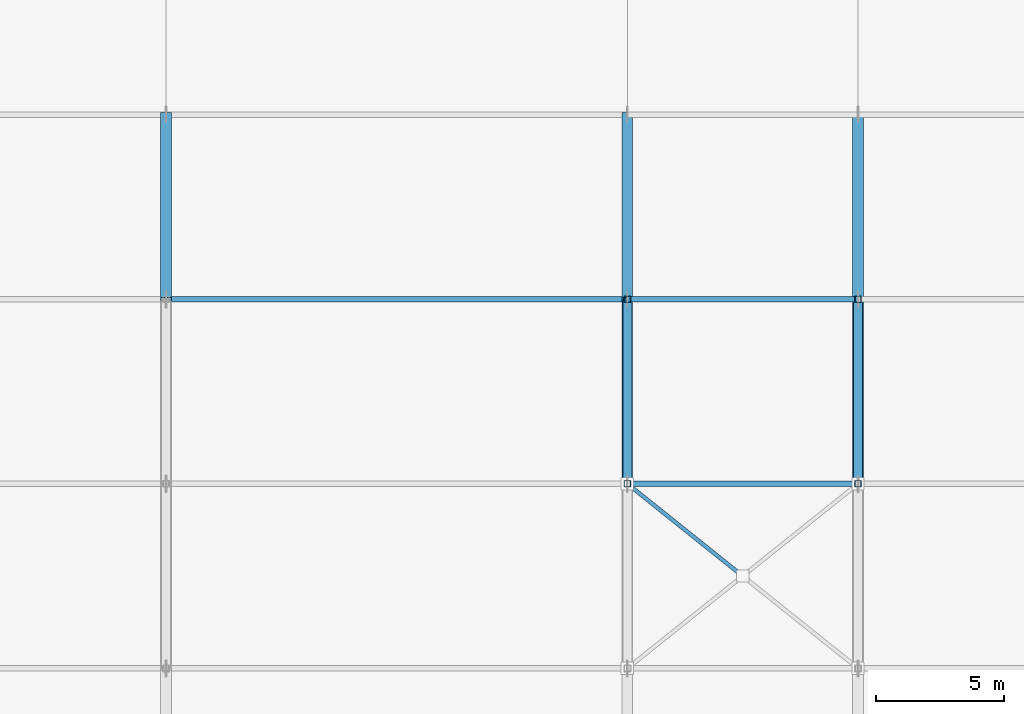
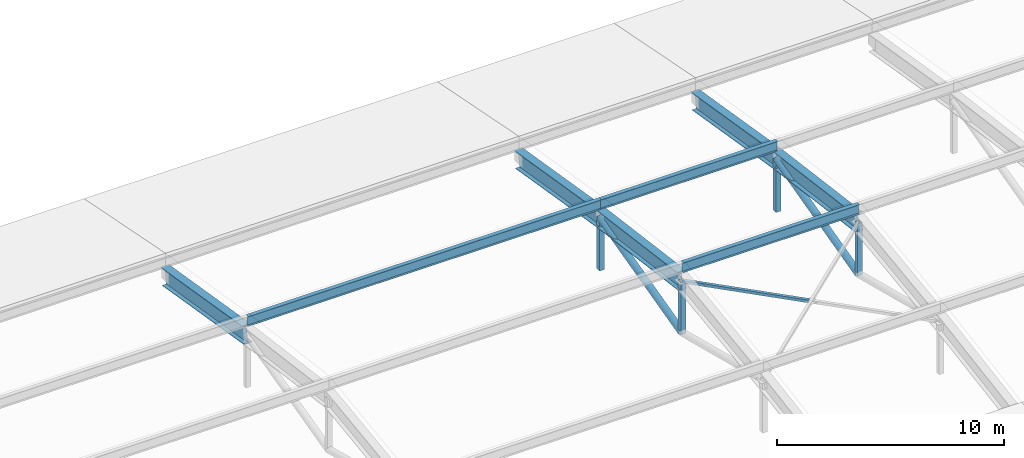
# One storey, part 12 of 78: 15 members.
"""IFC4 building model written with IfcOpenShell, lengths in metres."""

from ifc_helpers import new_model, si_unit, direction, frame, origin, origin_2d, place, context, subcontext, project, spatial, hollow_rectangle, hollow_circle, i_section, extrude, material, material_profile, profile_set, type_object, element, save


model = new_model("IFC4")

# Units and contexts
model_context = context("Model", 3, precision=1e-05, world=origin(), true_north=direction((0.0, 1.0)))
body_context = subcontext(model_context, "Body", "Model", "MODEL_VIEW")
ifc_project = project(units=[si_unit("LENGTHUNIT", "METRE"), si_unit("AREAUNIT", "SQUARE_METRE"), si_unit("VOLUMEUNIT", "CUBIC_METRE"), si_unit("PLANEANGLEUNIT", "RADIAN"), si_unit("MASSUNIT", "GRAM", prefix="KILO")], contexts=[model_context])

# Site, building, storey
site_placement = place(None, origin())
site = spatial("IfcSite", under=ifc_project, at=site_placement, CompositionType="ELEMENT")
building_placement = place(site_placement, origin())
building = spatial("IfcBuilding", under=site, at=building_placement, Name="Celestram Park Convention Centre", CompositionType="ELEMENT")
storey_placement = place(building_placement, frame((0.0, 0.0, 19.800048828125)))
storey = spatial("IfcBuildingStorey", under=building, at=storey_placement, Name="L04", CompositionType="ELEMENT", Elevation=19.800048828125)

# Members
ifc_material_1 = material(Name="Steel ASTM A500 Grade C", Category="steel")
ifc_material_profile_1 = material_profile(ifc_material_1, hollow_circle(Radius=0.177978515625, WallThickness=0.011962890625, at=origin_2d()), Name="CHS356X12")
ifc_profile_set_1 = profile_set([ifc_material_profile_1], Name="Steel ASTM A500 Grade C")
member_type_1 = type_object("IfcMemberType", Name="STR-BRC-CHS356", PredefinedType="BRACE", material=ifc_profile_set_1)
for number, where, z_axis, x_axis, name in (
    (1, (54.0, 64.800048828125, -0.171630859375), (0.0, 0.968804355336, 0.247826796536), (-1.0, 0.0, 0.0), "V1 arch web diagonal"),
    (2, (63.0, 64.800048828125, -0.171630859375), (0.0, 0.968804355336, 0.247826796536), (-1.0, 0.0, 0.0), "V1 arch web diagonal"),
):
    element("IfcMember", number, at=place(storey_placement, frame(where, z_axis=z_axis, x_axis=x_axis)), inside=storey, type_object=member_type_1, Name=name, PredefinedType="BRACE", context=body_context, shape_type="SweptSolid", body=[
        extrude(hollow_circle(Radius=0.177978515625, WallThickness=0.011962890625, at=origin_2d()), origin(), (0.0, 0.0, 1.0), 7.431884765625),
    ])
ifc_material_profile_2 = material_profile(ifc_material_1, hollow_rectangle(XDim=0.14990234375, YDim=0.14990234375, WallThickness=0.008056640625, at=origin_2d()), Name="HSS150X150X8")
ifc_profile_set_2 = profile_set([ifc_material_profile_2], Name="Steel ASTM A500 Grade C")
member_type_2 = type_object("IfcMemberType", Name="STR-BRC-HSS150", PredefinedType="BRACE", material=ifc_profile_set_2)
member_1_placement = place(storey_placement, frame((58.433837890625, 61.2529296875, 2.1279296875), z_axis=(-0.778181504336, 0.622553773278, 0.082827203782), x_axis=(-0.624700291051, -0.780864614617, 0.0)))
element("IfcMember", 3, at=member_1_placement, inside=storey, type_object=member_type_2, Name="Roof lateral split wind X-brace upper half", PredefinedType="BRACE", context=body_context, shape_type="SweptSolid", body=[
    extrude(hollow_rectangle(XDim=0.14990234375, YDim=0.14990234375, WallThickness=0.008056640625, at=origin_2d()), origin(), (0.0, 0.0, 1.0), 5.69775390625),
])
ifc_material_2 = material(Name="Steel ASTM A992 Grade 50", Category="steel")
ifc_material_profile_3 = material_profile(ifc_material_2, i_section(OverallWidth=0.4189453125, OverallDepth=0.927001953125, WebThickness=0.019287109375, FlangeThickness=0.031982421875, at=origin_2d()), Name="W36X231")
ifc_profile_set_3 = profile_set([ifc_material_profile_3], Name="Steel ASTM A992 Grade 50")
member_type_3 = type_object("IfcMemberType", Name="STR-CHD-W36X231", PredefinedType="CHORD", material=ifc_profile_set_3)
member_2_placement = place(storey_placement, frame((36.0, 72.0, 1.670166015625), z_axis=(0.0, 0.986648621514, -0.162863432557), x_axis=(-1.0, 0.0, 0.0)))
element("IfcMember", 4, at=member_2_placement, inside=storey, type_object=member_type_3, Name="V1 arch top chord", PredefinedType="CHORD", context=body_context, shape_type="SweptSolid", body=[
    extrude(i_section(OverallWidth=0.4189453125, OverallDepth=0.927001953125, WebThickness=0.019287109375, FlangeThickness=0.031982421875, at=origin_2d()), origin(), (0.0, 0.0, 1.0), 7.29736328125),
])
member_3_placement = place(storey_placement, frame((54.0, 64.800048828125, 2.62841796875), z_axis=(0.0, 0.991259283276, -0.131928136952), x_axis=(-1.0, 0.0, 0.0)))
element("IfcMember", 5, at=member_3_placement, inside=storey, type_object=member_type_3, Name="V1 arch top chord", PredefinedType="CHORD", context=body_context, shape_type="SweptSolid", body=[
    extrude(i_section(OverallWidth=0.4189453125, OverallDepth=0.927001953125, WebThickness=0.019287109375, FlangeThickness=0.031982421875, at=origin_2d()), origin(), (0.0, 0.0, 1.0), 7.263427734375),
])
member_4_placement = place(storey_placement, frame((54.0, 72.0, 1.670166015625), z_axis=(0.0, 0.986648621514, -0.162863432557), x_axis=(-1.0, 0.0, 0.0)))
element("IfcMember", 6, at=member_4_placement, inside=storey, type_object=member_type_3, Name="V1 arch top chord", PredefinedType="CHORD", context=body_context, shape_type="SweptSolid", body=[
    extrude(i_section(OverallWidth=0.4189453125, OverallDepth=0.927001953125, WebThickness=0.019287109375, FlangeThickness=0.031982421875, at=origin_2d()), origin(), (0.0, 0.0, 1.0), 7.29736328125),
])
member_5_placement = place(storey_placement, frame((63.0, 64.800048828125, 2.62841796875), z_axis=(0.0, 0.991259283276, -0.131928136952), x_axis=(-1.0, 0.0, 0.0)))
element("IfcMember", 7, at=member_5_placement, inside=storey, type_object=member_type_3, Name="V1 arch top chord", PredefinedType="CHORD", context=body_context, shape_type="SweptSolid", body=[
    extrude(i_section(OverallWidth=0.4189453125, OverallDepth=0.927001953125, WebThickness=0.019287109375, FlangeThickness=0.031982421875, at=origin_2d()), origin(), (0.0, 0.0, 1.0), 7.263427734375),
])
member_6_placement = place(storey_placement, frame((63.0, 72.0, 1.670166015625), z_axis=(0.0, 0.986648621514, -0.162863432557), x_axis=(-1.0, 0.0, 0.0)))
element("IfcMember", 8, at=member_6_placement, inside=storey, type_object=member_type_3, Name="V1 arch top chord", PredefinedType="CHORD", context=body_context, shape_type="SweptSolid", body=[
    extrude(i_section(OverallWidth=0.4189453125, OverallDepth=0.927001953125, WebThickness=0.019287109375, FlangeThickness=0.031982421875, at=origin_2d()), origin(), (0.0, 0.0, 1.0), 7.29736328125),
])
ifc_material_profile_4 = material_profile(ifc_material_2, i_section(OverallWidth=0.2099609375, OverallDepth=0.532958984375, WebThickness=0.01025390625, FlangeThickness=0.015625, at=origin_2d()), Name="W21X62")
ifc_profile_set_4 = profile_set([ifc_material_profile_4], Name="Steel ASTM A992 Grade 50")
member_type_4 = type_object("IfcMemberType", Name="STR-RFT-W21X62", PredefinedType="RAFTER", material=ifc_profile_set_4)
member_7_placement = place(storey_placement, frame((36.0, 72.0, 2.400146484375), z_axis=(1.0, 0.0, 0.0), x_axis=(0.0, 1.0, 0.0)))
element("IfcMember", 9, at=member_7_placement, inside=storey, type_object=member_type_4, Name="V1 roof purlin", PredefinedType="RAFTER", context=body_context, shape_type="SweptSolid", body=[
    extrude(i_section(OverallWidth=0.2099609375, OverallDepth=0.532958984375, WebThickness=0.01025390625, FlangeThickness=0.015625, at=origin_2d()), origin(), (0.0, 0.0, 1.0), 18.0),
])
for number, where, z_axis, x_axis, name in (
    (10, (54.0, 64.800048828125, 3.3583984375), (1.0, 0.0, 0.0), (0.0, 1.0, 0.0), "V1 roof purlin"),
    (11, (54.0, 72.0, 2.400146484375), (1.0, 0.0, 0.0), (0.0, 1.0, 0.0), "V1 roof purlin"),
):
    element("IfcMember", number, at=place(storey_placement, frame(where, z_axis=z_axis, x_axis=x_axis)), inside=storey, type_object=member_type_4, Name=name, PredefinedType="RAFTER", context=body_context, shape_type="SweptSolid", body=[
        extrude(i_section(OverallWidth=0.2099609375, OverallDepth=0.532958984375, WebThickness=0.01025390625, FlangeThickness=0.015625, at=origin_2d()), origin(), (0.0, 0.0, 1.0), 9.0),
    ])
ifc_material_profile_5 = material_profile(ifc_material_1, hollow_rectangle(XDim=0.25, YDim=0.25, WallThickness=0.011962890625, at=origin_2d()), Name="HSS250X250X12")
ifc_profile_set_5 = profile_set([ifc_material_profile_5], Name="Steel ASTM A500 Grade C")
member_type_5 = type_object("IfcMemberType", Name="STR-STR-HSS250", PredefinedType="STRUT", material=ifc_profile_set_5)
for number, where, z_axis, x_axis, name in (
    (12, (54.0, 64.800048828125, -0.171630859375), (0.0, 0.0, 1.0), (1.0, 0.0, 0.0), "V1 arch vertical strut"),
    (13, (54.0, 72.0, -1.1298828125), (0.0, 0.0, 1.0), (1.0, 0.0, 0.0), "V1 arch vertical strut"),
    (14, (63.0, 64.800048828125, -0.171630859375), (0.0, 0.0, 1.0), (1.0, 0.0, 0.0), "V1 arch vertical strut"),
    (15, (63.0, 72.0, -1.1298828125), (0.0, 0.0, 1.0), (1.0, 0.0, 0.0), "V1 arch vertical strut"),
):
    element("IfcMember", number, at=place(storey_placement, frame(where, z_axis=z_axis, x_axis=x_axis)), inside=storey, type_object=member_type_5, Name=name, PredefinedType="STRUT", context=body_context, shape_type="SweptSolid", body=[
        extrude(hollow_rectangle(XDim=0.25, YDim=0.25, WallThickness=0.011962890625, at=origin_2d()), origin(), (0.0, 0.0, 1.0), 2.800048828125),
    ])

save(model, "model.ifc")
